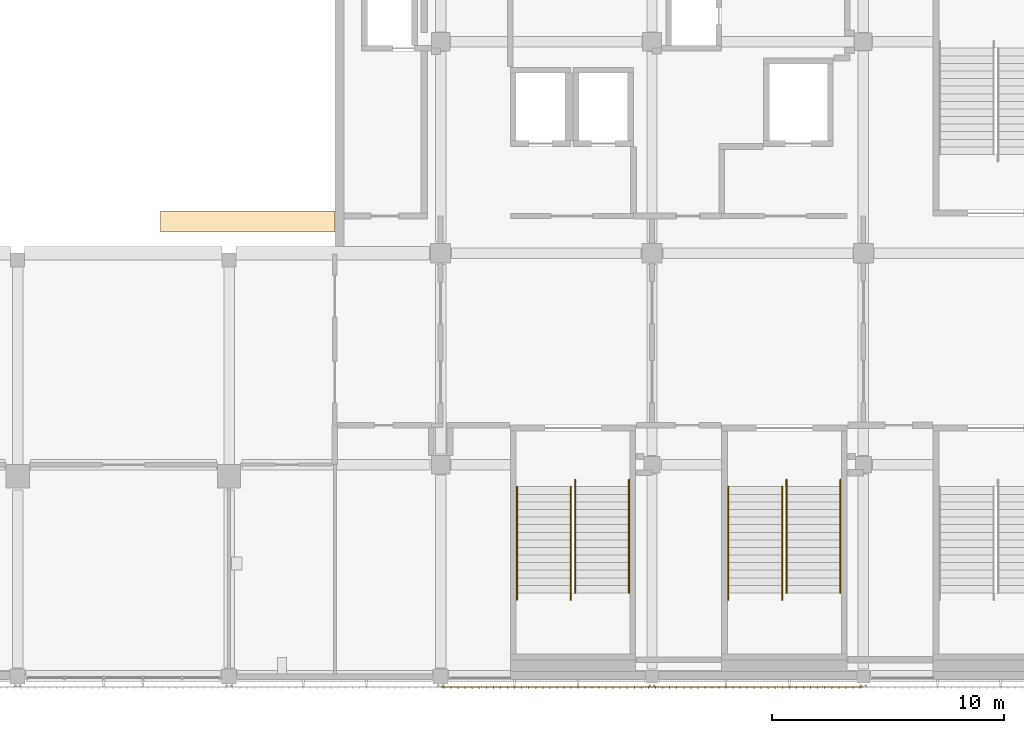
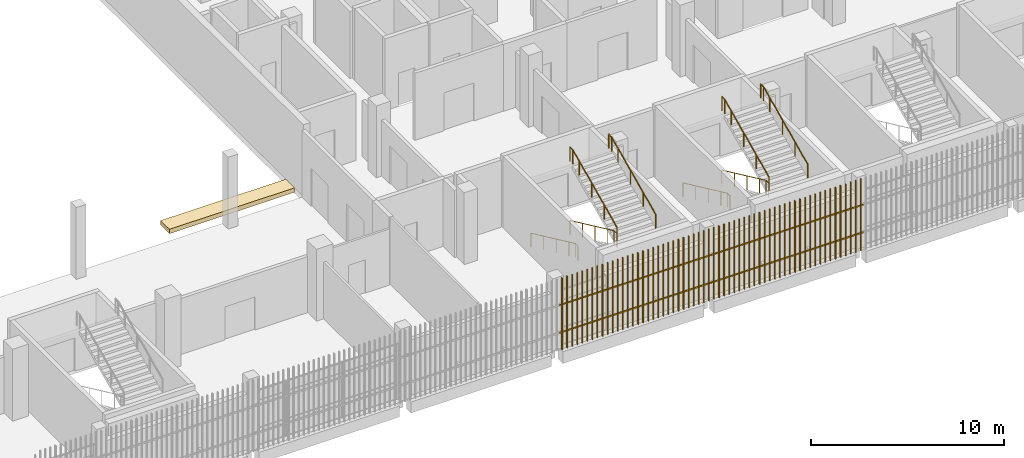
# One storey, part 112 of 126: 8 railings, 2 shading devices, 1 covering.
"""IFC4 building model written with IfcOpenShell, lengths in metres."""

from ifc_helpers import new_model, si_unit, direction, frame, origin, origin_2d, place, context, subcontext, project, spatial, polyline, rectangle, circle, outline, extrude, material, layer, layer_set, type_object, element, save


model = new_model("IFC4")

# Units and contexts
model_context = context("Model", 3, precision=1e-05, world=origin(), true_north=direction((0.0, 1.0)))
body_context = subcontext(model_context, "Body", "Model", "MODEL_VIEW")
ifc_project = project(units=[si_unit("LENGTHUNIT", "METRE"), si_unit("AREAUNIT", "SQUARE_METRE"), si_unit("VOLUMEUNIT", "CUBIC_METRE"), si_unit("PLANEANGLEUNIT", "RADIAN"), si_unit("MASSUNIT", "GRAM", prefix="KILO")], contexts=[model_context])

# Site, building, storey
site_placement = place(None, origin())
site = spatial("IfcSite", under=ifc_project, at=site_placement, CompositionType="ELEMENT")
building_placement = place(site_placement, origin())
building = spatial("IfcBuilding", under=site, at=building_placement, Name="Shirokan Park Arena", CompositionType="ELEMENT")
storey_placement = place(building_placement, frame((0.0, 0.0, 6.3701171875)))
storey = spatial("IfcBuildingStorey", under=building, at=storey_placement, Name="L01", CompositionType="ELEMENT", Elevation=6.3701171875)

# Covering
ifc_material_1 = material(Name="Concrete screed on the tier", Category="concrete")
ifc_layer = layer(ifc_material_1, 0.280029296875)
ifc_layer_set = layer_set([ifc_layer], Name="Concrete screed on the tier 280 mm")
covering_type = type_object("IfcCoveringType", Name="Platform floor infill 280", PredefinedType="FLOORING", material=ifc_layer_set)
covering_placement = place(storey_placement, frame((0.0, 0.0, -0.280029296875)))
element("IfcCovering", 1, at=covering_placement, inside=storey, type_object=covering_type, Name="Wheelchair Platform Floor S3 Lower Tier", PredefinedType="FLOORING", context=body_context, shape_type="SweptSolid", body=[
    extrude(outline(polyline([(104.64990234375, 19.110107421875), (104.64990234375, 20.02001953125), (97.14990234375, 20.02001953125), (97.14990234375, 19.110107421875), (104.64990234375, 19.110107421875)])), origin(), (0.0, 0.0, 1.0), 0.280029296875),
])

# Railings
ifc_material_2 = material(Name="Stainless steel", Category="steel")
railing_type = type_object("IfcRailingType", Name="Stair handrail 900", PredefinedType="HANDRAIL", material=ifc_material_2)
railing_1_placement = place(storey_placement, frame((121.590087890625, 8.14990234375, 0.151611328125)))
element("IfcRailing", 2, at=railing_1_placement, inside=storey, type_object=railing_type, Name="Handrail Exit Stair 2.C L01 to L02", PredefinedType="HANDRAIL", context=body_context, shape_type="SweptSolid", body=[
    extrude(circle(Radius=0.02392578125, at=origin_2d()), frame((0.0, 0.0, 0.8759765625), z_axis=(0.0, -0.906999720516, 0.421131222998), x_axis=(1.0, 0.0, 0.0)), (0.0, 0.0, 1.0), 1.440673828125),
    extrude(circle(Radius=0.02392578125, at=origin_2d()), frame((0.0, -1.306640625, 1.482421875), z_axis=(0.0, -0.907029769225, 0.421066500378), x_axis=(1.0, 0.0, 0.0)), (0.0, 0.0, 1.0), 1.44091796875),
    extrude(circle(Radius=0.02392578125, at=origin_2d()), frame((0.0, -2.613525390625, 2.08935546875), z_axis=(0.0, -0.907094476872, 0.420927083981), x_axis=(1.0, 0.0, 0.0)), (0.0, 0.0, 1.0), 1.440673828125),
    extrude(circle(Radius=0.02392578125, at=origin_2d()), frame((0.0, -3.92041015625, 2.69580078125), z_axis=(0.0, -0.906934982928, 0.421270621741), x_axis=(1.0, 0.0, 0.0)), (0.0, 0.0, 1.0), 0.720458984375),
    extrude(circle(Radius=0.02392578125, at=origin_2d()), frame((0.0, -4.57373046875, 2.9990234375), z_axis=(0.0, -1.0, 0.0), x_axis=(1.0, 0.0, 0.0)), (0.0, 0.0, 1.0), 0.300048828125),
    extrude(circle(Radius=0.02099609375, at=origin_2d()), origin(), (0.0, 0.0, 1.0), 0.851806640625),
    extrude(circle(Radius=0.02099609375, at=origin_2d()), frame((0.0, -1.306640625, 0.606689453125)), (0.0, 0.0, 1.0), 0.851806640625),
    extrude(circle(Radius=0.02099609375, at=origin_2d()), frame((0.0, -2.613525390625, 1.21337890625)), (0.0, 0.0, 1.0), 0.851806640625),
    extrude(circle(Radius=0.02099609375, at=origin_2d()), frame((0.0, -3.92041015625, 1.81982421875)), (0.0, 0.0, 1.0), 0.851806640625),
    extrude(circle(Radius=0.02099609375, at=origin_2d()), frame((0.0, -4.57373046875, 2.123291015625)), (0.0, 0.0, 1.0), 0.851806640625),
    extrude(circle(Radius=0.02099609375, at=origin_2d()), frame((0.0, -4.873779296875, 2.123291015625)), (0.0, 0.0, 1.0), 0.851806640625),
])
railing_2_placement = place(storey_placement, frame((123.909912109375, 8.14990234375, 0.151611328125)))
element("IfcRailing", 3, at=railing_2_placement, inside=storey, type_object=railing_type, Name="Handrail Exit Stair 2.C L01 to L02", PredefinedType="HANDRAIL", context=body_context, shape_type="SweptSolid", body=[
    extrude(circle(Radius=0.02392578125, at=origin_2d()), frame((0.0, 0.0, 0.8759765625), z_axis=(0.0, -0.906999720516, 0.421131222998), x_axis=(1.0, 0.0, 0.0)), (0.0, 0.0, 1.0), 1.440673828125),
    extrude(circle(Radius=0.02392578125, at=origin_2d()), frame((0.0, -1.306640625, 1.482421875), z_axis=(0.0, -0.907029769225, 0.421066500378), x_axis=(1.0, 0.0, 0.0)), (0.0, 0.0, 1.0), 1.44091796875),
    extrude(circle(Radius=0.02392578125, at=origin_2d()), frame((0.0, -2.613525390625, 2.08935546875), z_axis=(0.0, -0.907094476872, 0.420927083981), x_axis=(1.0, 0.0, 0.0)), (0.0, 0.0, 1.0), 1.440673828125),
    extrude(circle(Radius=0.02392578125, at=origin_2d()), frame((0.0, -3.92041015625, 2.69580078125), z_axis=(0.0, -0.906934982928, 0.421270621741), x_axis=(1.0, 0.0, 0.0)), (0.0, 0.0, 1.0), 0.720458984375),
    extrude(circle(Radius=0.02392578125, at=origin_2d()), frame((0.0, -4.57373046875, 2.9990234375), z_axis=(0.0, -1.0, 0.0), x_axis=(1.0, 0.0, 0.0)), (0.0, 0.0, 1.0), 0.300048828125),
    extrude(circle(Radius=0.02099609375, at=origin_2d()), origin(), (0.0, 0.0, 1.0), 0.851806640625),
    extrude(circle(Radius=0.02099609375, at=origin_2d()), frame((0.0, -1.306640625, 0.606689453125)), (0.0, 0.0, 1.0), 0.851806640625),
    extrude(circle(Radius=0.02099609375, at=origin_2d()), frame((0.0, -2.613525390625, 1.21337890625)), (0.0, 0.0, 1.0), 0.851806640625),
    extrude(circle(Radius=0.02099609375, at=origin_2d()), frame((0.0, -3.92041015625, 1.81982421875)), (0.0, 0.0, 1.0), 0.851806640625),
    extrude(circle(Radius=0.02099609375, at=origin_2d()), frame((0.0, -4.57373046875, 2.123291015625)), (0.0, 0.0, 1.0), 0.851806640625),
    extrude(circle(Radius=0.02099609375, at=origin_2d()), frame((0.0, -4.873779296875, 2.123291015625)), (0.0, 0.0, 1.0), 0.851806640625),
])
railing_3_placement = place(storey_placement, frame((124.090087890625, 3.576171875, 2.426513671875)))
element("IfcRailing", 4, at=railing_3_placement, inside=storey, type_object=railing_type, Name="Handrail Exit Stair 2.C L01 to L02", PredefinedType="HANDRAIL", context=body_context, shape_type="SweptSolid", body=[
    extrude(circle(Radius=0.02392578125, at=origin_2d()), frame((0.0, 0.0, 0.8759765625), z_axis=(0.0, 0.907029769225, 0.421066500378), x_axis=(-1.0, 0.0, 0.0)), (0.0, 0.0, 1.0), 1.44091796875),
    extrude(circle(Radius=0.02392578125, at=origin_2d()), frame((0.0, 1.306884765625, 1.482421875), z_axis=(0.0, 0.906999720516, 0.421131222998), x_axis=(-1.0, 0.0, 0.0)), (0.0, 0.0, 1.0), 1.440673828125),
    extrude(circle(Radius=0.02392578125, at=origin_2d()), frame((0.0, 2.613525390625, 2.08935546875), z_axis=(0.0, 0.907029769225, 0.421066500378), x_axis=(-1.0, 0.0, 0.0)), (0.0, 0.0, 1.0), 1.44091796875),
    extrude(circle(Radius=0.02392578125, at=origin_2d()), frame((0.0, 3.92041015625, 2.69580078125), z_axis=(0.0, 0.907064445915, 0.420991794405), x_axis=(-1.0, 0.0, 0.0)), (0.0, 0.0, 1.0), 0.72021484375),
    extrude(circle(Radius=0.02392578125, at=origin_2d()), frame((0.0, 4.57373046875, 2.9990234375), z_axis=(0.0, 1.0, 0.0), x_axis=(-1.0, 0.0, 0.0)), (0.0, 0.0, 1.0), 0.300048828125),
    extrude(circle(Radius=0.02099609375, at=origin_2d()), origin(), (0.0, 0.0, 1.0), 0.851806640625),
    extrude(circle(Radius=0.02099609375, at=origin_2d()), frame((0.0, 1.306884765625, 0.606689453125)), (0.0, 0.0, 1.0), 0.851806640625),
    extrude(circle(Radius=0.02099609375, at=origin_2d()), frame((0.0, 2.613525390625, 1.21337890625)), (0.0, 0.0, 1.0), 0.851806640625),
    extrude(circle(Radius=0.02099609375, at=origin_2d()), frame((0.0, 3.92041015625, 1.820068359375)), (0.0, 0.0, 1.0), 0.851806640625),
    extrude(circle(Radius=0.02099609375, at=origin_2d()), frame((0.0, 4.57373046875, 2.123291015625)), (0.0, 0.0, 1.0), 0.851806640625),
    extrude(circle(Radius=0.02099609375, at=origin_2d()), frame((0.0, 4.873779296875, 2.123291015625)), (0.0, 0.0, 1.0), 0.851806640625),
])
railing_4_placement = place(storey_placement, frame((126.409912109375, 3.576171875, 2.426513671875)))
element("IfcRailing", 5, at=railing_4_placement, inside=storey, type_object=railing_type, Name="Handrail Exit Stair 2.C L01 to L02", PredefinedType="HANDRAIL", context=body_context, shape_type="SweptSolid", body=[
    extrude(circle(Radius=0.02392578125, at=origin_2d()), frame((0.0, 0.0, 0.8759765625), z_axis=(0.0, 0.907029769225, 0.421066500378), x_axis=(-1.0, 0.0, 0.0)), (0.0, 0.0, 1.0), 1.44091796875),
    extrude(circle(Radius=0.02392578125, at=origin_2d()), frame((0.0, 1.306884765625, 1.482421875), z_axis=(0.0, 0.906999720516, 0.421131222998), x_axis=(-1.0, 0.0, 0.0)), (0.0, 0.0, 1.0), 1.440673828125),
    extrude(circle(Radius=0.02392578125, at=origin_2d()), frame((0.0, 2.613525390625, 2.08935546875), z_axis=(0.0, 0.907029769225, 0.421066500378), x_axis=(-1.0, 0.0, 0.0)), (0.0, 0.0, 1.0), 1.44091796875),
    extrude(circle(Radius=0.02392578125, at=origin_2d()), frame((0.0, 3.92041015625, 2.69580078125), z_axis=(0.0, 0.907064445915, 0.420991794405), x_axis=(-1.0, 0.0, 0.0)), (0.0, 0.0, 1.0), 0.72021484375),
    extrude(circle(Radius=0.02392578125, at=origin_2d()), frame((0.0, 4.57373046875, 2.9990234375), z_axis=(0.0, 1.0, 0.0), x_axis=(-1.0, 0.0, 0.0)), (0.0, 0.0, 1.0), 0.300048828125),
    extrude(circle(Radius=0.02099609375, at=origin_2d()), origin(), (0.0, 0.0, 1.0), 0.851806640625),
    extrude(circle(Radius=0.02099609375, at=origin_2d()), frame((0.0, 1.306884765625, 0.606689453125)), (0.0, 0.0, 1.0), 0.851806640625),
    extrude(circle(Radius=0.02099609375, at=origin_2d()), frame((0.0, 2.613525390625, 1.21337890625)), (0.0, 0.0, 1.0), 0.851806640625),
    extrude(circle(Radius=0.02099609375, at=origin_2d()), frame((0.0, 3.92041015625, 1.820068359375)), (0.0, 0.0, 1.0), 0.851806640625),
    extrude(circle(Radius=0.02099609375, at=origin_2d()), frame((0.0, 4.57373046875, 2.123291015625)), (0.0, 0.0, 1.0), 0.851806640625),
    extrude(circle(Radius=0.02099609375, at=origin_2d()), frame((0.0, 4.873779296875, 2.123291015625)), (0.0, 0.0, 1.0), 0.851806640625),
])
railing_5_placement = place(storey_placement, frame((112.489990234375, 8.14990234375, 0.151611328125)))
element("IfcRailing", 6, at=railing_5_placement, inside=storey, type_object=railing_type, Name="Handrail Exit Stair 2.D L01 to L02", PredefinedType="HANDRAIL", context=body_context, shape_type="SweptSolid", body=[
    extrude(circle(Radius=0.02392578125, at=origin_2d()), frame((0.0, 0.0, 0.8759765625), z_axis=(0.0, -0.906999720516, 0.421131222998), x_axis=(1.0, 0.0, 0.0)), (0.0, 0.0, 1.0), 1.440673828125),
    extrude(circle(Radius=0.02392578125, at=origin_2d()), frame((0.0, -1.306640625, 1.482421875), z_axis=(0.0, -0.907029769225, 0.421066500378), x_axis=(1.0, 0.0, 0.0)), (0.0, 0.0, 1.0), 1.44091796875),
    extrude(circle(Radius=0.02392578125, at=origin_2d()), frame((0.0, -2.613525390625, 2.08935546875), z_axis=(0.0, -0.907094476872, 0.420927083981), x_axis=(1.0, 0.0, 0.0)), (0.0, 0.0, 1.0), 1.440673828125),
    extrude(circle(Radius=0.02392578125, at=origin_2d()), frame((0.0, -3.92041015625, 2.69580078125), z_axis=(0.0, -0.906934982928, 0.421270621741), x_axis=(1.0, 0.0, 0.0)), (0.0, 0.0, 1.0), 0.720458984375),
    extrude(circle(Radius=0.02392578125, at=origin_2d()), frame((0.0, -4.57373046875, 2.9990234375), z_axis=(0.0, -1.0, 0.0), x_axis=(1.0, 0.0, 0.0)), (0.0, 0.0, 1.0), 0.300048828125),
    extrude(circle(Radius=0.02099609375, at=origin_2d()), origin(), (0.0, 0.0, 1.0), 0.851806640625),
    extrude(circle(Radius=0.02099609375, at=origin_2d()), frame((0.0, -1.306640625, 0.606689453125)), (0.0, 0.0, 1.0), 0.851806640625),
    extrude(circle(Radius=0.02099609375, at=origin_2d()), frame((0.0, -2.613525390625, 1.21337890625)), (0.0, 0.0, 1.0), 0.851806640625),
    extrude(circle(Radius=0.02099609375, at=origin_2d()), frame((0.0, -3.92041015625, 1.81982421875)), (0.0, 0.0, 1.0), 0.851806640625),
    extrude(circle(Radius=0.02099609375, at=origin_2d()), frame((0.0, -4.57373046875, 2.123291015625)), (0.0, 0.0, 1.0), 0.851806640625),
    extrude(circle(Radius=0.02099609375, at=origin_2d()), frame((0.0, -4.873779296875, 2.123291015625)), (0.0, 0.0, 1.0), 0.851806640625),
])
railing_6_placement = place(storey_placement, frame((114.81005859375, 8.14990234375, 0.151611328125)))
element("IfcRailing", 7, at=railing_6_placement, inside=storey, type_object=railing_type, Name="Handrail Exit Stair 2.D L01 to L02", PredefinedType="HANDRAIL", context=body_context, shape_type="SweptSolid", body=[
    extrude(circle(Radius=0.02392578125, at=origin_2d()), frame((0.0, 0.0, 0.8759765625), z_axis=(0.0, -0.906999720516, 0.421131222998), x_axis=(1.0, 0.0, 0.0)), (0.0, 0.0, 1.0), 1.440673828125),
    extrude(circle(Radius=0.02392578125, at=origin_2d()), frame((0.0, -1.306640625, 1.482421875), z_axis=(0.0, -0.907029769225, 0.421066500378), x_axis=(1.0, 0.0, 0.0)), (0.0, 0.0, 1.0), 1.44091796875),
    extrude(circle(Radius=0.02392578125, at=origin_2d()), frame((0.0, -2.613525390625, 2.08935546875), z_axis=(0.0, -0.907094476872, 0.420927083981), x_axis=(1.0, 0.0, 0.0)), (0.0, 0.0, 1.0), 1.440673828125),
    extrude(circle(Radius=0.02392578125, at=origin_2d()), frame((0.0, -3.92041015625, 2.69580078125), z_axis=(0.0, -0.906934982928, 0.421270621741), x_axis=(1.0, 0.0, 0.0)), (0.0, 0.0, 1.0), 0.720458984375),
    extrude(circle(Radius=0.02392578125, at=origin_2d()), frame((0.0, -4.57373046875, 2.9990234375), z_axis=(0.0, -1.0, 0.0), x_axis=(1.0, 0.0, 0.0)), (0.0, 0.0, 1.0), 0.300048828125),
    extrude(circle(Radius=0.02099609375, at=origin_2d()), origin(), (0.0, 0.0, 1.0), 0.851806640625),
    extrude(circle(Radius=0.02099609375, at=origin_2d()), frame((0.0, -1.306640625, 0.606689453125)), (0.0, 0.0, 1.0), 0.851806640625),
    extrude(circle(Radius=0.02099609375, at=origin_2d()), frame((0.0, -2.613525390625, 1.21337890625)), (0.0, 0.0, 1.0), 0.851806640625),
    extrude(circle(Radius=0.02099609375, at=origin_2d()), frame((0.0, -3.92041015625, 1.81982421875)), (0.0, 0.0, 1.0), 0.851806640625),
    extrude(circle(Radius=0.02099609375, at=origin_2d()), frame((0.0, -4.57373046875, 2.123291015625)), (0.0, 0.0, 1.0), 0.851806640625),
    extrude(circle(Radius=0.02099609375, at=origin_2d()), frame((0.0, -4.873779296875, 2.123291015625)), (0.0, 0.0, 1.0), 0.851806640625),
])
railing_7_placement = place(storey_placement, frame((114.989990234375, 3.576171875, 2.426513671875)))
element("IfcRailing", 8, at=railing_7_placement, inside=storey, type_object=railing_type, Name="Handrail Exit Stair 2.D L01 to L02", PredefinedType="HANDRAIL", context=body_context, shape_type="SweptSolid", body=[
    extrude(circle(Radius=0.02392578125, at=origin_2d()), frame((0.0, 0.0, 0.8759765625), z_axis=(0.0, 0.907029769225, 0.421066500378), x_axis=(-1.0, 0.0, 0.0)), (0.0, 0.0, 1.0), 1.44091796875),
    extrude(circle(Radius=0.02392578125, at=origin_2d()), frame((0.0, 1.306884765625, 1.482421875), z_axis=(0.0, 0.906999720516, 0.421131222998), x_axis=(-1.0, 0.0, 0.0)), (0.0, 0.0, 1.0), 1.440673828125),
    extrude(circle(Radius=0.02392578125, at=origin_2d()), frame((0.0, 2.613525390625, 2.08935546875), z_axis=(0.0, 0.907029769225, 0.421066500378), x_axis=(-1.0, 0.0, 0.0)), (0.0, 0.0, 1.0), 1.44091796875),
    extrude(circle(Radius=0.02392578125, at=origin_2d()), frame((0.0, 3.92041015625, 2.69580078125), z_axis=(0.0, 0.907064445915, 0.420991794405), x_axis=(-1.0, 0.0, 0.0)), (0.0, 0.0, 1.0), 0.72021484375),
    extrude(circle(Radius=0.02392578125, at=origin_2d()), frame((0.0, 4.57373046875, 2.9990234375), z_axis=(0.0, 1.0, 0.0), x_axis=(-1.0, 0.0, 0.0)), (0.0, 0.0, 1.0), 0.300048828125),
    extrude(circle(Radius=0.02099609375, at=origin_2d()), origin(), (0.0, 0.0, 1.0), 0.851806640625),
    extrude(circle(Radius=0.02099609375, at=origin_2d()), frame((0.0, 1.306884765625, 0.606689453125)), (0.0, 0.0, 1.0), 0.851806640625),
    extrude(circle(Radius=0.02099609375, at=origin_2d()), frame((0.0, 2.613525390625, 1.21337890625)), (0.0, 0.0, 1.0), 0.851806640625),
    extrude(circle(Radius=0.02099609375, at=origin_2d()), frame((0.0, 3.92041015625, 1.820068359375)), (0.0, 0.0, 1.0), 0.851806640625),
    extrude(circle(Radius=0.02099609375, at=origin_2d()), frame((0.0, 4.57373046875, 2.123291015625)), (0.0, 0.0, 1.0), 0.851806640625),
    extrude(circle(Radius=0.02099609375, at=origin_2d()), frame((0.0, 4.873779296875, 2.123291015625)), (0.0, 0.0, 1.0), 0.851806640625),
])
railing_8_placement = place(storey_placement, frame((117.31005859375, 3.576171875, 2.426513671875)))
element("IfcRailing", 9, at=railing_8_placement, inside=storey, type_object=railing_type, Name="Handrail Exit Stair 2.D L01 to L02", PredefinedType="HANDRAIL", context=body_context, shape_type="SweptSolid", body=[
    extrude(circle(Radius=0.02392578125, at=origin_2d()), frame((0.0, 0.0, 0.8759765625), z_axis=(0.0, 0.907029769225, 0.421066500378), x_axis=(-1.0, 0.0, 0.0)), (0.0, 0.0, 1.0), 1.44091796875),
    extrude(circle(Radius=0.02392578125, at=origin_2d()), frame((0.0, 1.306884765625, 1.482421875), z_axis=(0.0, 0.906999720516, 0.421131222998), x_axis=(-1.0, 0.0, 0.0)), (0.0, 0.0, 1.0), 1.440673828125),
    extrude(circle(Radius=0.02392578125, at=origin_2d()), frame((0.0, 2.613525390625, 2.08935546875), z_axis=(0.0, 0.907029769225, 0.421066500378), x_axis=(-1.0, 0.0, 0.0)), (0.0, 0.0, 1.0), 1.44091796875),
    extrude(circle(Radius=0.02392578125, at=origin_2d()), frame((0.0, 3.92041015625, 2.69580078125), z_axis=(0.0, 0.907064445915, 0.420991794405), x_axis=(-1.0, 0.0, 0.0)), (0.0, 0.0, 1.0), 0.72021484375),
    extrude(circle(Radius=0.02392578125, at=origin_2d()), frame((0.0, 4.57373046875, 2.9990234375), z_axis=(0.0, 1.0, 0.0), x_axis=(-1.0, 0.0, 0.0)), (0.0, 0.0, 1.0), 0.300048828125),
    extrude(circle(Radius=0.02099609375, at=origin_2d()), origin(), (0.0, 0.0, 1.0), 0.851806640625),
    extrude(circle(Radius=0.02099609375, at=origin_2d()), frame((0.0, 1.306884765625, 0.606689453125)), (0.0, 0.0, 1.0), 0.851806640625),
    extrude(circle(Radius=0.02099609375, at=origin_2d()), frame((0.0, 2.613525390625, 1.21337890625)), (0.0, 0.0, 1.0), 0.851806640625),
    extrude(circle(Radius=0.02099609375, at=origin_2d()), frame((0.0, 3.92041015625, 1.820068359375)), (0.0, 0.0, 1.0), 0.851806640625),
    extrude(circle(Radius=0.02099609375, at=origin_2d()), frame((0.0, 4.57373046875, 2.123291015625)), (0.0, 0.0, 1.0), 0.851806640625),
    extrude(circle(Radius=0.02099609375, at=origin_2d()), frame((0.0, 4.873779296875, 2.123291015625)), (0.0, 0.0, 1.0), 0.851806640625),
])

# Shading devices
ifc_material_3 = material(Name="Timber louvre veil (cedar)", Category="wood")
shading_device_type = type_object("IfcShadingDeviceType", Name="Timber louvre veil panel", PredefinedType="JALOUSIE", material=ifc_material_3)
shading_device_1_placement = place(storey_placement, origin())
element("IfcShadingDevice", 10, at=shading_device_1_placement, inside=storey, type_object=shading_device_type, Name="Timber louvre veil south bay 13 L01", PredefinedType="JALOUSIE", context=body_context, shape_type="SweptSolid", body=[
    extrude(rectangle(XDim=0.050048828125, YDim=0.080078125, at=origin_2d()), frame((109.3515625, -0.485107421875, 0.0), z_axis=(0.0, 0.0, 1.0), x_axis=(1.0, 0.0, 0.0)), (0.0, 0.0, 1.0), 4.550048828125),
    extrude(rectangle(XDim=0.050048828125, YDim=0.080078125, at=origin_2d()), frame((109.655029296875, -0.485107421875, 0.0), z_axis=(0.0, 0.0, 1.0), x_axis=(1.0, 0.0, 0.0)), (0.0, 0.0, 1.0), 4.550048828125),
    extrude(rectangle(XDim=0.050048828125, YDim=0.080078125, at=origin_2d()), frame((109.958251953125, -0.485107421875, 0.0), z_axis=(0.0, 0.0, 1.0), x_axis=(1.0, 0.0, 0.0)), (0.0, 0.0, 1.0), 4.550048828125),
    extrude(rectangle(XDim=0.050048828125, YDim=0.080078125, at=origin_2d()), frame((110.26171875, -0.485107421875, 0.0), z_axis=(0.0, 0.0, 1.0), x_axis=(1.0, 0.0, 0.0)), (0.0, 0.0, 1.0), 4.550048828125),
    extrude(rectangle(XDim=0.050048828125, YDim=0.080078125, at=origin_2d()), frame((110.56494140625, -0.485107421875, 0.0), z_axis=(0.0, 0.0, 1.0), x_axis=(1.0, 0.0, 0.0)), (0.0, 0.0, 1.0), 4.550048828125),
    extrude(rectangle(XDim=0.050048828125, YDim=0.080078125, at=origin_2d()), frame((110.868408203125, -0.485107421875, 0.0), z_axis=(0.0, 0.0, 1.0), x_axis=(1.0, 0.0, 0.0)), (0.0, 0.0, 1.0), 4.550048828125),
    extrude(rectangle(XDim=0.050048828125, YDim=0.080078125, at=origin_2d()), frame((111.171630859375, -0.485107421875, 0.0), z_axis=(0.0, 0.0, 1.0), x_axis=(1.0, 0.0, 0.0)), (0.0, 0.0, 1.0), 4.550048828125),
    extrude(rectangle(XDim=0.050048828125, YDim=0.080078125, at=origin_2d()), frame((111.47509765625, -0.485107421875, 0.0), z_axis=(0.0, 0.0, 1.0), x_axis=(1.0, 0.0, 0.0)), (0.0, 0.0, 1.0), 4.550048828125),
    extrude(rectangle(XDim=0.050048828125, YDim=0.080078125, at=origin_2d()), frame((111.7783203125, -0.485107421875, 0.0), z_axis=(0.0, 0.0, 1.0), x_axis=(1.0, 0.0, 0.0)), (0.0, 0.0, 1.0), 4.550048828125),
    extrude(rectangle(XDim=0.050048828125, YDim=0.080078125, at=origin_2d()), frame((112.081787109375, -0.485107421875, 0.0), z_axis=(0.0, 0.0, 1.0), x_axis=(1.0, 0.0, 0.0)), (0.0, 0.0, 1.0), 4.550048828125),
    extrude(rectangle(XDim=0.050048828125, YDim=0.080078125, at=origin_2d()), frame((112.385009765625, -0.485107421875, 0.0), z_axis=(0.0, 0.0, 1.0), x_axis=(1.0, 0.0, 0.0)), (0.0, 0.0, 1.0), 4.550048828125),
    extrude(rectangle(XDim=0.050048828125, YDim=0.080078125, at=origin_2d()), frame((112.688232421875, -0.485107421875, 0.0), z_axis=(0.0, 0.0, 1.0), x_axis=(1.0, 0.0, 0.0)), (0.0, 0.0, 1.0), 4.550048828125),
    extrude(rectangle(XDim=0.050048828125, YDim=0.080078125, at=origin_2d()), frame((112.99169921875, -0.485107421875, 0.0), z_axis=(0.0, 0.0, 1.0), x_axis=(1.0, 0.0, 0.0)), (0.0, 0.0, 1.0), 4.550048828125),
    extrude(rectangle(XDim=0.050048828125, YDim=0.080078125, at=origin_2d()), frame((113.294921875, -0.485107421875, 0.0), z_axis=(0.0, 0.0, 1.0), x_axis=(1.0, 0.0, 0.0)), (0.0, 0.0, 1.0), 4.550048828125),
    extrude(rectangle(XDim=0.050048828125, YDim=0.080078125, at=origin_2d()), frame((113.598388671875, -0.485107421875, 0.0), z_axis=(0.0, 0.0, 1.0), x_axis=(1.0, 0.0, 0.0)), (0.0, 0.0, 1.0), 4.550048828125),
    extrude(rectangle(XDim=0.050048828125, YDim=0.080078125, at=origin_2d()), frame((113.901611328125, -0.485107421875, 0.0), z_axis=(0.0, 0.0, 1.0), x_axis=(1.0, 0.0, 0.0)), (0.0, 0.0, 1.0), 4.550048828125),
    extrude(rectangle(XDim=0.050048828125, YDim=0.080078125, at=origin_2d()), frame((114.205078125, -0.485107421875, 0.0), z_axis=(0.0, 0.0, 1.0), x_axis=(1.0, 0.0, 0.0)), (0.0, 0.0, 1.0), 4.550048828125),
    extrude(rectangle(XDim=0.050048828125, YDim=0.080078125, at=origin_2d()), frame((114.50830078125, -0.485107421875, 0.0), z_axis=(0.0, 0.0, 1.0), x_axis=(1.0, 0.0, 0.0)), (0.0, 0.0, 1.0), 4.550048828125),
    extrude(rectangle(XDim=0.050048828125, YDim=0.080078125, at=origin_2d()), frame((114.811767578125, -0.485107421875, 0.0), z_axis=(0.0, 0.0, 1.0), x_axis=(1.0, 0.0, 0.0)), (0.0, 0.0, 1.0), 4.550048828125),
    extrude(rectangle(XDim=0.050048828125, YDim=0.080078125, at=origin_2d()), frame((115.114990234375, -0.485107421875, 0.0), z_axis=(0.0, 0.0, 1.0), x_axis=(1.0, 0.0, 0.0)), (0.0, 0.0, 1.0), 4.550048828125),
    extrude(rectangle(XDim=0.050048828125, YDim=0.080078125, at=origin_2d()), frame((115.418212890625, -0.485107421875, 0.0), z_axis=(0.0, 0.0, 1.0), x_axis=(1.0, 0.0, 0.0)), (0.0, 0.0, 1.0), 4.550048828125),
    extrude(rectangle(XDim=0.050048828125, YDim=0.080078125, at=origin_2d()), frame((115.7216796875, -0.485107421875, 0.0), z_axis=(0.0, 0.0, 1.0), x_axis=(1.0, 0.0, 0.0)), (0.0, 0.0, 1.0), 4.550048828125),
    extrude(rectangle(XDim=0.050048828125, YDim=0.080078125, at=origin_2d()), frame((116.02490234375, -0.485107421875, 0.0), z_axis=(0.0, 0.0, 1.0), x_axis=(1.0, 0.0, 0.0)), (0.0, 0.0, 1.0), 4.550048828125),
    extrude(rectangle(XDim=0.050048828125, YDim=0.080078125, at=origin_2d()), frame((116.328369140625, -0.485107421875, 0.0), z_axis=(0.0, 0.0, 1.0), x_axis=(1.0, 0.0, 0.0)), (0.0, 0.0, 1.0), 4.550048828125),
    extrude(rectangle(XDim=0.050048828125, YDim=0.080078125, at=origin_2d()), frame((116.631591796875, -0.485107421875, 0.0), z_axis=(0.0, 0.0, 1.0), x_axis=(1.0, 0.0, 0.0)), (0.0, 0.0, 1.0), 4.550048828125),
    extrude(rectangle(XDim=0.050048828125, YDim=0.080078125, at=origin_2d()), frame((116.93505859375, -0.485107421875, 0.0), z_axis=(0.0, 0.0, 1.0), x_axis=(1.0, 0.0, 0.0)), (0.0, 0.0, 1.0), 4.550048828125),
    extrude(rectangle(XDim=0.050048828125, YDim=0.080078125, at=origin_2d()), frame((117.23828125, -0.485107421875, 0.0), z_axis=(0.0, 0.0, 1.0), x_axis=(1.0, 0.0, 0.0)), (0.0, 0.0, 1.0), 4.550048828125),
    extrude(rectangle(XDim=0.050048828125, YDim=0.080078125, at=origin_2d()), frame((117.541748046875, -0.485107421875, 0.0), z_axis=(0.0, 0.0, 1.0), x_axis=(1.0, 0.0, 0.0)), (0.0, 0.0, 1.0), 4.550048828125),
    extrude(rectangle(XDim=0.050048828125, YDim=0.080078125, at=origin_2d()), frame((117.844970703125, -0.485107421875, 0.0), z_axis=(0.0, 0.0, 1.0), x_axis=(1.0, 0.0, 0.0)), (0.0, 0.0, 1.0), 4.550048828125),
    extrude(rectangle(XDim=0.050048828125, YDim=0.080078125, at=origin_2d()), frame((118.1484375, -0.485107421875, 0.0), z_axis=(0.0, 0.0, 1.0), x_axis=(1.0, 0.0, 0.0)), (0.0, 0.0, 1.0), 4.550048828125),
    extrude(rectangle(XDim=9.10009765625, YDim=0.050048828125, at=origin_2d()), frame((113.75, -0.469970703125, 1.059814453125), z_axis=(0.0, 0.0, 1.0), x_axis=(1.0, 0.0, 0.0)), (0.0, 0.0, 1.0), 0.080078125),
    extrude(rectangle(XDim=9.10009765625, YDim=0.050048828125, at=origin_2d()), frame((113.75, -0.469970703125, 2.809814453125), z_axis=(0.0, 0.0, 1.0), x_axis=(1.0, 0.0, 0.0)), (0.0, 0.0, 1.0), 0.080078125),
])
shading_device_2_placement = place(storey_placement, origin())
element("IfcShadingDevice", 11, at=shading_device_2_placement, inside=storey, type_object=shading_device_type, Name="Timber louvre veil south bay 14 L01", PredefinedType="JALOUSIE", context=body_context, shape_type="SweptSolid", body=[
    extrude(rectangle(XDim=0.050048828125, YDim=0.080078125, at=origin_2d()), frame((118.45166015625, -0.485107421875, 0.0), z_axis=(0.0, 0.0, 1.0), x_axis=(1.0, 0.0, 0.0)), (0.0, 0.0, 1.0), 4.550048828125),
    extrude(rectangle(XDim=0.050048828125, YDim=0.080078125, at=origin_2d()), frame((118.7548828125, -0.485107421875, 0.0), z_axis=(0.0, 0.0, 1.0), x_axis=(1.0, 0.0, 0.0)), (0.0, 0.0, 1.0), 4.550048828125),
    extrude(rectangle(XDim=0.050048828125, YDim=0.080078125, at=origin_2d()), frame((119.058349609375, -0.485107421875, 0.0), z_axis=(0.0, 0.0, 1.0), x_axis=(1.0, 0.0, 0.0)), (0.0, 0.0, 1.0), 4.550048828125),
    extrude(rectangle(XDim=0.050048828125, YDim=0.080078125, at=origin_2d()), frame((119.361572265625, -0.485107421875, 0.0), z_axis=(0.0, 0.0, 1.0), x_axis=(1.0, 0.0, 0.0)), (0.0, 0.0, 1.0), 4.550048828125),
    extrude(rectangle(XDim=0.050048828125, YDim=0.080078125, at=origin_2d()), frame((119.6650390625, -0.485107421875, 0.0), z_axis=(0.0, 0.0, 1.0), x_axis=(1.0, 0.0, 0.0)), (0.0, 0.0, 1.0), 4.550048828125),
    extrude(rectangle(XDim=0.050048828125, YDim=0.080078125, at=origin_2d()), frame((119.96826171875, -0.485107421875, 0.0), z_axis=(0.0, 0.0, 1.0), x_axis=(1.0, 0.0, 0.0)), (0.0, 0.0, 1.0), 4.550048828125),
    extrude(rectangle(XDim=0.050048828125, YDim=0.080078125, at=origin_2d()), frame((120.271728515625, -0.485107421875, 0.0), z_axis=(0.0, 0.0, 1.0), x_axis=(1.0, 0.0, 0.0)), (0.0, 0.0, 1.0), 4.550048828125),
    extrude(rectangle(XDim=0.050048828125, YDim=0.080078125, at=origin_2d()), frame((120.574951171875, -0.485107421875, 0.0), z_axis=(0.0, 0.0, 1.0), x_axis=(1.0, 0.0, 0.0)), (0.0, 0.0, 1.0), 4.550048828125),
    extrude(rectangle(XDim=0.050048828125, YDim=0.080078125, at=origin_2d()), frame((120.87841796875, -0.485107421875, 0.0), z_axis=(0.0, 0.0, 1.0), x_axis=(1.0, 0.0, 0.0)), (0.0, 0.0, 1.0), 4.550048828125),
    extrude(rectangle(XDim=0.050048828125, YDim=0.080078125, at=origin_2d()), frame((121.181640625, -0.485107421875, 0.0), z_axis=(0.0, 0.0, 1.0), x_axis=(1.0, 0.0, 0.0)), (0.0, 0.0, 1.0), 4.550048828125),
    extrude(rectangle(XDim=0.050048828125, YDim=0.080078125, at=origin_2d()), frame((121.485107421875, -0.485107421875, 0.0), z_axis=(0.0, 0.0, 1.0), x_axis=(1.0, 0.0, 0.0)), (0.0, 0.0, 1.0), 4.550048828125),
    extrude(rectangle(XDim=0.050048828125, YDim=0.080078125, at=origin_2d()), frame((121.788330078125, -0.485107421875, 0.0), z_axis=(0.0, 0.0, 1.0), x_axis=(1.0, 0.0, 0.0)), (0.0, 0.0, 1.0), 4.550048828125),
    extrude(rectangle(XDim=0.050048828125, YDim=0.080078125, at=origin_2d()), frame((122.091552734375, -0.485107421875, 0.0), z_axis=(0.0, 0.0, 1.0), x_axis=(1.0, 0.0, 0.0)), (0.0, 0.0, 1.0), 4.550048828125),
    extrude(rectangle(XDim=0.050048828125, YDim=0.080078125, at=origin_2d()), frame((122.39501953125, -0.485107421875, 0.0), z_axis=(0.0, 0.0, 1.0), x_axis=(1.0, 0.0, 0.0)), (0.0, 0.0, 1.0), 4.550048828125),
    extrude(rectangle(XDim=0.050048828125, YDim=0.080078125, at=origin_2d()), frame((122.6982421875, -0.485107421875, 0.0), z_axis=(0.0, 0.0, 1.0), x_axis=(1.0, 0.0, 0.0)), (0.0, 0.0, 1.0), 4.550048828125),
    extrude(rectangle(XDim=0.050048828125, YDim=0.080078125, at=origin_2d()), frame((123.001708984375, -0.485107421875, 0.0), z_axis=(0.0, 0.0, 1.0), x_axis=(1.0, 0.0, 0.0)), (0.0, 0.0, 1.0), 4.550048828125),
    extrude(rectangle(XDim=0.050048828125, YDim=0.080078125, at=origin_2d()), frame((123.304931640625, -0.485107421875, 0.0), z_axis=(0.0, 0.0, 1.0), x_axis=(1.0, 0.0, 0.0)), (0.0, 0.0, 1.0), 4.550048828125),
    extrude(rectangle(XDim=0.050048828125, YDim=0.080078125, at=origin_2d()), frame((123.6083984375, -0.485107421875, 0.0), z_axis=(0.0, 0.0, 1.0), x_axis=(1.0, 0.0, 0.0)), (0.0, 0.0, 1.0), 4.550048828125),
    extrude(rectangle(XDim=0.050048828125, YDim=0.080078125, at=origin_2d()), frame((123.91162109375, -0.485107421875, 0.0), z_axis=(0.0, 0.0, 1.0), x_axis=(1.0, 0.0, 0.0)), (0.0, 0.0, 1.0), 4.550048828125),
    extrude(rectangle(XDim=0.050048828125, YDim=0.080078125, at=origin_2d()), frame((124.215087890625, -0.485107421875, 0.0), z_axis=(0.0, 0.0, 1.0), x_axis=(1.0, 0.0, 0.0)), (0.0, 0.0, 1.0), 4.550048828125),
    extrude(rectangle(XDim=0.050048828125, YDim=0.080078125, at=origin_2d()), frame((124.518310546875, -0.485107421875, 0.0), z_axis=(0.0, 0.0, 1.0), x_axis=(1.0, 0.0, 0.0)), (0.0, 0.0, 1.0), 4.550048828125),
    extrude(rectangle(XDim=0.050048828125, YDim=0.080078125, at=origin_2d()), frame((124.82177734375, -0.485107421875, 0.0), z_axis=(0.0, 0.0, 1.0), x_axis=(1.0, 0.0, 0.0)), (0.0, 0.0, 1.0), 4.550048828125),
    extrude(rectangle(XDim=0.050048828125, YDim=0.080078125, at=origin_2d()), frame((125.125, -0.485107421875, 0.0), z_axis=(0.0, 0.0, 1.0), x_axis=(1.0, 0.0, 0.0)), (0.0, 0.0, 1.0), 4.550048828125),
    extrude(rectangle(XDim=0.050048828125, YDim=0.080078125, at=origin_2d()), frame((125.42822265625, -0.485107421875, 0.0), z_axis=(0.0, 0.0, 1.0), x_axis=(1.0, 0.0, 0.0)), (0.0, 0.0, 1.0), 4.550048828125),
    extrude(rectangle(XDim=0.050048828125, YDim=0.080078125, at=origin_2d()), frame((125.731689453125, -0.485107421875, 0.0), z_axis=(0.0, 0.0, 1.0), x_axis=(1.0, 0.0, 0.0)), (0.0, 0.0, 1.0), 4.550048828125),
    extrude(rectangle(XDim=0.050048828125, YDim=0.080078125, at=origin_2d()), frame((126.034912109375, -0.485107421875, 0.0), z_axis=(0.0, 0.0, 1.0), x_axis=(1.0, 0.0, 0.0)), (0.0, 0.0, 1.0), 4.550048828125),
    extrude(rectangle(XDim=0.050048828125, YDim=0.080078125, at=origin_2d()), frame((126.33837890625, -0.485107421875, 0.0), z_axis=(0.0, 0.0, 1.0), x_axis=(1.0, 0.0, 0.0)), (0.0, 0.0, 1.0), 4.550048828125),
    extrude(rectangle(XDim=0.050048828125, YDim=0.080078125, at=origin_2d()), frame((126.6416015625, -0.485107421875, 0.0), z_axis=(0.0, 0.0, 1.0), x_axis=(1.0, 0.0, 0.0)), (0.0, 0.0, 1.0), 4.550048828125),
    extrude(rectangle(XDim=0.050048828125, YDim=0.080078125, at=origin_2d()), frame((126.945068359375, -0.485107421875, 0.0), z_axis=(0.0, 0.0, 1.0), x_axis=(1.0, 0.0, 0.0)), (0.0, 0.0, 1.0), 4.550048828125),
    extrude(rectangle(XDim=0.050048828125, YDim=0.080078125, at=origin_2d()), frame((127.248291015625, -0.485107421875, 0.0), z_axis=(0.0, 0.0, 1.0), x_axis=(1.0, 0.0, 0.0)), (0.0, 0.0, 1.0), 4.550048828125),
    extrude(rectangle(XDim=9.10009765625, YDim=0.050048828125, at=origin_2d()), frame((122.85009765625, -0.469970703125, 1.059814453125), z_axis=(0.0, 0.0, 1.0), x_axis=(1.0, 0.0, 0.0)), (0.0, 0.0, 1.0), 0.080078125),
    extrude(rectangle(XDim=9.10009765625, YDim=0.050048828125, at=origin_2d()), frame((122.85009765625, -0.469970703125, 2.809814453125), z_axis=(0.0, 0.0, 1.0), x_axis=(1.0, 0.0, 0.0)), (0.0, 0.0, 1.0), 0.080078125),
])

save(model, "model.ifc")
